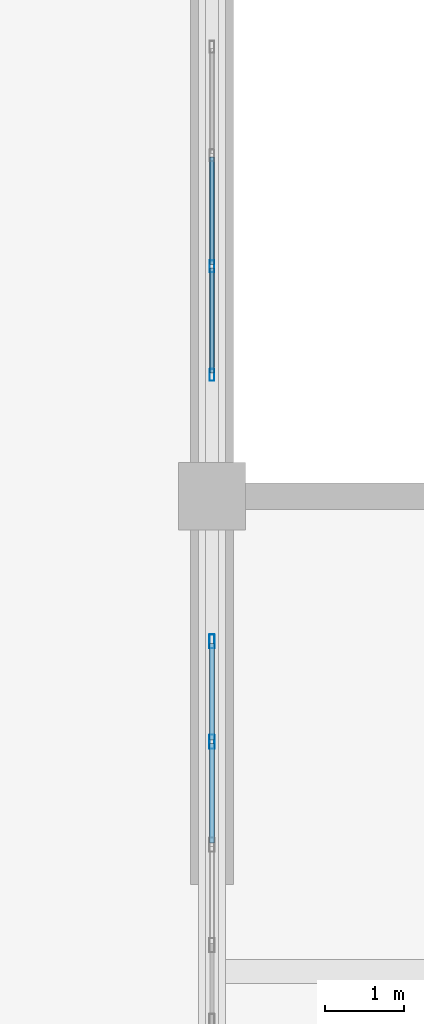
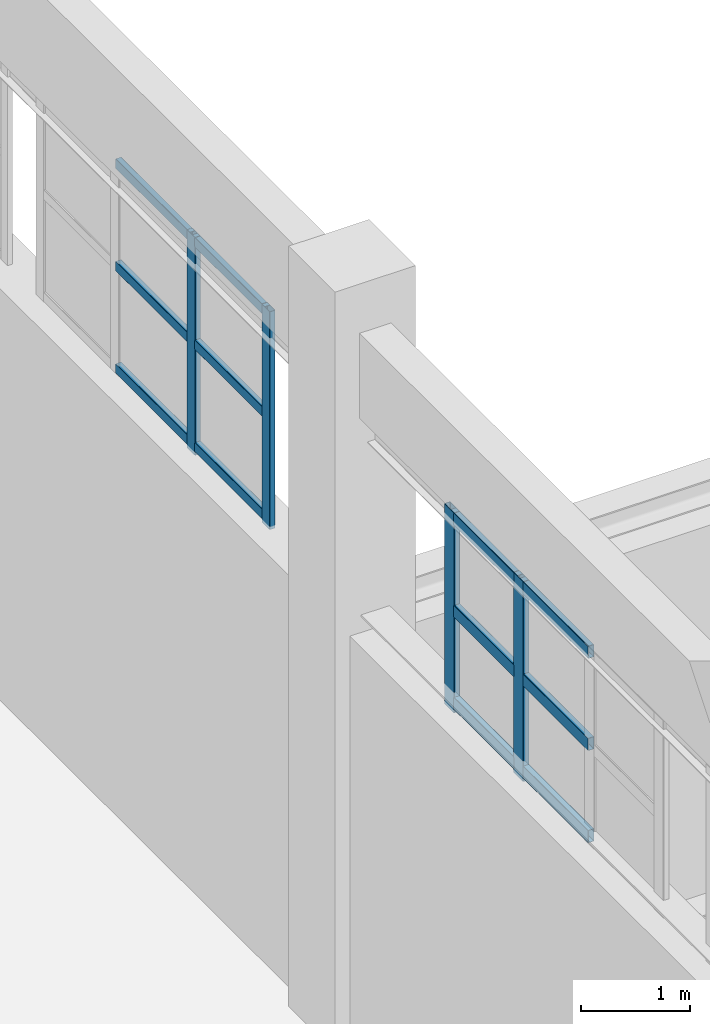
# One storey, part 57 of 97: 16 members, 2 elements without a shape of their own.
"""IFC4 building model written with IfcOpenShell, lengths in metres."""

from ifc_helpers import new_model, si_unit, derived_unit, direction, frame, origin, origin_2d, place, context, subcontext, project, spatial, hollow_rectangle, extrude, material, layer, layer_set, material_profile, profile_set, type_object, element, aggregate, save


model = new_model("IFC4")

# Units and contexts
model_context = context("Model", 3, precision=1e-05, world=origin(), true_north=direction((0.0, 1.0)))
body_context = subcontext(model_context, "Body", "Model", "MODEL_VIEW")
ifc_project = project(units=[si_unit("LENGTHUNIT", "METRE"), si_unit("AREAUNIT", "SQUARE_METRE"), si_unit("VOLUMEUNIT", "CUBIC_METRE"), si_unit("PLANEANGLEUNIT", "RADIAN"), si_unit("MASSUNIT", "GRAM", prefix="KILO"), derived_unit("THERMALTRANSMITTANCEUNIT", [(si_unit("POWERUNIT", "WATT"), 1), (si_unit("LENGTHUNIT", "METRE"), -2), (si_unit("THERMODYNAMICTEMPERATUREUNIT", "KELVIN"), -1)])], contexts=[model_context])

# Site, building, storey
site_placement = place(None, origin())
site = spatial("IfcSite", under=ifc_project, at=site_placement, CompositionType="ELEMENT")
building_placement = place(site_placement, origin())
building = spatial("IfcBuilding", under=site, at=building_placement, Name="Almenara Railside Exhibition Hall", CompositionType="ELEMENT")
storey_placement = place(building_placement, frame((0.0, 0.0, 10.800048828125)))
storey = spatial("IfcBuildingStorey", under=building, at=storey_placement, Name="L02", CompositionType="ELEMENT", Elevation=10.800048828125)

# Curtain wall, members
ifc_material_1 = material(Name="Bronze-anodised aluminium and low-E double glazing", Category="aluminium")
ifc_layer_1 = layer(ifc_material_1, 0.179931640625, Name="Bronze-anodised aluminium and low-E double glazing")
ifc_layer_set_1 = layer_set([ifc_layer_1], Name="Bronze-anodised aluminium and low-E double glazing")
curtain_wall_type_1 = type_object("IfcCurtainWallType", Name="West Hall Clerestory Curtain Wall 4200x2400", PredefinedType="NOTDEFINED", material=ifc_layer_set_1)
curtain_wall_1_placement = place(storey_placement, origin())
curtain_wall_1 = element("IfcCurtainWall", 1, at=curtain_wall_1_placement, inside=storey, type_object=curtain_wall_type_1, Name="Curtain wall CW-CL1-021", PredefinedType="NOTDEFINED")
ifc_material_2 = material(Name="Bronze-anodised aluminium", Category="aluminium")
ifc_material_profile_1 = material_profile(ifc_material_2, hollow_rectangle(XDim=0.06005859375, YDim=0.14990234375, WallThickness=0.00341796875, InnerFilletRadius=0.00341796875, OuterFilletRadius=0.007080078125, at=origin_2d()), Name="ALU-MUL 60x150x3.5")
ifc_profile_set_1 = profile_set([ifc_material_profile_1], Name="Bronze-anodised aluminium")
member_type_1 = type_object("IfcMemberType", Name="Curtain Wall Mullion 60x150x3.5", PredefinedType="MULLION", material=ifc_profile_set_1)
member_1_placement = place(storey_placement, frame((66.0, 109.530029296875, 4.56494140625), z_axis=(0.0, 0.0, 1.0), x_axis=(-1.0, 0.0, 0.0)))
member_1 = element("IfcMember", 2, at=member_1_placement, type_object=member_type_1, Name="CW-CL1-021 mullion 1", PredefinedType="MULLION", context=body_context, shape_type="SweptSolid", body=[
    extrude(hollow_rectangle(XDim=0.06005859375, YDim=0.14990234375, WallThickness=0.00341796875, InnerFilletRadius=0.00341796875, OuterFilletRadius=0.007080078125, at=origin_2d()), origin(), (0.0, 0.0, 1.0), 2.43505859375),
])
member_2_placement = place(storey_placement, frame((66.0, 110.89990234375, 4.56494140625), z_axis=(0.0, 0.0, 1.0), x_axis=(-1.0, 0.0, 0.0)))
member_2 = element("IfcMember", 3, at=member_2_placement, type_object=member_type_1, Name="CW-CL1-021 mullion 2", PredefinedType="MULLION", context=body_context, shape_type="SweptSolid", body=[
    extrude(hollow_rectangle(XDim=0.06005859375, YDim=0.14990234375, WallThickness=0.00341796875, InnerFilletRadius=0.00341796875, OuterFilletRadius=0.007080078125, at=origin_2d()), origin(), (0.0, 0.0, 1.0), 2.43505859375),
])

ifc_layer_2 = layer(ifc_material_1, 0.179931640625, Name="Bronze-anodised aluminium and low-E double glazing")
ifc_layer_set_2 = layer_set([ifc_layer_2], Name="Bronze-anodised aluminium and low-E double glazing")
curtain_wall_type_2 = type_object("IfcCurtainWallType", Name="West Hall Clerestory Curtain Wall 3900x2200", PredefinedType="NOTDEFINED", material=ifc_layer_set_2)
curtain_wall_2_placement = place(storey_placement, origin())
curtain_wall_2 = element("IfcCurtainWall", 4, at=curtain_wall_2_placement, inside=storey, type_object=curtain_wall_type_2, Name="Curtain wall CW-CL2-020", PredefinedType="NOTDEFINED")
ifc_material_profile_2 = material_profile(ifc_material_2, hollow_rectangle(XDim=0.06494140625, YDim=0.179931640625, WallThickness=0.00390625, InnerFilletRadius=0.00390625, OuterFilletRadius=0.008056640625, at=origin_2d()), Name="ALU-MUL 65x180x4")
ifc_profile_set_2 = profile_set([ifc_material_profile_2], Name="Bronze-anodised aluminium")
member_type_2 = type_object("IfcMemberType", Name="Curtain Wall Mullion 65x180x4", PredefinedType="MULLION", material=ifc_profile_set_2)
member_3_placement = place(storey_placement, frame((66.0, 104.89990234375, 4.56494140625), z_axis=(0.0, 0.0, 1.0), x_axis=(-1.0, 0.0, 0.0)))
member_3 = element("IfcMember", 5, at=member_3_placement, type_object=member_type_2, Name="CW-CL2-020 mullion 3", PredefinedType="MULLION", context=body_context, shape_type="SweptSolid", body=[
    extrude(hollow_rectangle(XDim=0.06494140625, YDim=0.179931640625, WallThickness=0.00390625, InnerFilletRadius=0.00390625, OuterFilletRadius=0.008056640625, at=origin_2d()), origin(), (0.0, 0.0, 1.0), 2.235107421875),
])
member_4_placement = place(storey_placement, frame((66.0, 106.16748046875, 4.56494140625), z_axis=(0.0, 0.0, 1.0), x_axis=(-1.0, 0.0, 0.0)))
member_4 = element("IfcMember", 6, at=member_4_placement, type_object=member_type_2, Name="CW-CL2-020 mullion 4", PredefinedType="MULLION", context=body_context, shape_type="SweptSolid", body=[
    extrude(hollow_rectangle(XDim=0.06494140625, YDim=0.179931640625, WallThickness=0.00390625, InnerFilletRadius=0.00390625, OuterFilletRadius=0.008056640625, at=origin_2d()), origin(), (0.0, 0.0, 1.0), 2.235107421875),
])

# Member
ifc_material_profile_3 = material_profile(ifc_material_2, hollow_rectangle(XDim=0.06005859375, YDim=0.110107421875, WallThickness=0.0029296875, InnerFilletRadius=0.0029296875, OuterFilletRadius=0.006103515625, at=origin_2d()), Name="ALU-TRN 60x110x3")
ifc_profile_set_3 = profile_set([ifc_material_profile_3], Name="Bronze-anodised aluminium")
member_type_3 = type_object("IfcMemberType", Name="Curtain Wall Transom 60x110x3", PredefinedType="USERDEFINED", material=ifc_profile_set_3)
member_5_placement = place(storey_placement, frame((66.0, 109.552001953125, 4.655029296875), z_axis=(0.0, 1.0, 0.0), x_axis=(-1.0, 0.0, 0.0)))
member_5 = element("IfcMember", 7, at=member_5_placement, type_object=member_type_3, Name="CW-CL1-021 transom 1.1", ObjectType="TRANSOM", PredefinedType="USERDEFINED", context=body_context, shape_type="SweptSolid", body=[
    extrude(hollow_rectangle(XDim=0.06005859375, YDim=0.110107421875, WallThickness=0.0029296875, InnerFilletRadius=0.0029296875, OuterFilletRadius=0.006103515625, at=origin_2d()), origin(), (0.0, 0.0, 1.0), 1.325927734375),
])

member_6_placement = place(storey_placement, frame((66.0, 109.552001953125, 5.800048828125), z_axis=(0.0, 1.0, 0.0), x_axis=(-1.0, 0.0, 0.0)))
member_6 = element("IfcMember", 8, at=member_6_placement, type_object=member_type_3, Name="CW-CL1-021 transom 1.2", ObjectType="TRANSOM", PredefinedType="USERDEFINED", context=body_context, shape_type="SweptSolid", body=[
    extrude(hollow_rectangle(XDim=0.06005859375, YDim=0.110107421875, WallThickness=0.0029296875, InnerFilletRadius=0.0029296875, OuterFilletRadius=0.006103515625, at=origin_2d()), origin(), (0.0, 0.0, 1.0), 1.325927734375),
])

member_7_placement = place(storey_placement, frame((66.0, 109.552001953125, 6.945068359375), z_axis=(0.0, 1.0, 0.0), x_axis=(-1.0, 0.0, 0.0)))
member_7 = element("IfcMember", 9, at=member_7_placement, type_object=member_type_3, Name="CW-CL1-021 transom 1.3", ObjectType="TRANSOM", PredefinedType="USERDEFINED", context=body_context, shape_type="SweptSolid", body=[
    extrude(hollow_rectangle(XDim=0.06005859375, YDim=0.110107421875, WallThickness=0.0029296875, InnerFilletRadius=0.0029296875, OuterFilletRadius=0.006103515625, at=origin_2d()), origin(), (0.0, 0.0, 1.0), 1.325927734375),
])

member_8_placement = place(storey_placement, frame((66.0, 110.922119140625, 4.655029296875), z_axis=(0.0, 1.0, 0.0), x_axis=(-1.0, 0.0, 0.0)))
member_8 = element("IfcMember", 10, at=member_8_placement, type_object=member_type_3, Name="CW-CL1-021 transom 2.1", ObjectType="TRANSOM", PredefinedType="USERDEFINED", context=body_context, shape_type="SweptSolid", body=[
    extrude(hollow_rectangle(XDim=0.06005859375, YDim=0.110107421875, WallThickness=0.0029296875, InnerFilletRadius=0.0029296875, OuterFilletRadius=0.006103515625, at=origin_2d()), origin(), (0.0, 0.0, 1.0), 1.35595703125),
])

member_9_placement = place(storey_placement, frame((66.0, 110.922119140625, 5.800048828125), z_axis=(0.0, 1.0, 0.0), x_axis=(-1.0, 0.0, 0.0)))
member_9 = element("IfcMember", 11, at=member_9_placement, type_object=member_type_3, Name="CW-CL1-021 transom 2.2", ObjectType="TRANSOM", PredefinedType="USERDEFINED", context=body_context, shape_type="SweptSolid", body=[
    extrude(hollow_rectangle(XDim=0.06005859375, YDim=0.110107421875, WallThickness=0.0029296875, InnerFilletRadius=0.0029296875, OuterFilletRadius=0.006103515625, at=origin_2d()), origin(), (0.0, 0.0, 1.0), 1.35595703125),
])

member_10_placement = place(storey_placement, frame((66.0, 110.922119140625, 6.945068359375), z_axis=(0.0, 1.0, 0.0), x_axis=(-1.0, 0.0, 0.0)))
member_10 = element("IfcMember", 12, at=member_10_placement, type_object=member_type_3, Name="CW-CL1-021 transom 2.3", ObjectType="TRANSOM", PredefinedType="USERDEFINED", context=body_context, shape_type="SweptSolid", body=[
    extrude(hollow_rectangle(XDim=0.06005859375, YDim=0.110107421875, WallThickness=0.0029296875, InnerFilletRadius=0.0029296875, OuterFilletRadius=0.006103515625, at=origin_2d()), origin(), (0.0, 0.0, 1.0), 1.35595703125),
])

aggregate(curtain_wall_1, [member_1, member_2, member_5, member_6, member_7, member_8, member_9, member_10])

ifc_material_profile_4 = material_profile(ifc_material_2, hollow_rectangle(XDim=0.06494140625, YDim=0.139892578125, WallThickness=0.00341796875, InnerFilletRadius=0.00341796875, OuterFilletRadius=0.007080078125, at=origin_2d()), Name="ALU-TRN 65x140x3.5")
ifc_profile_set_4 = profile_set([ifc_material_profile_4], Name="Bronze-anodised aluminium")
member_type_4 = type_object("IfcMemberType", Name="Curtain Wall Transom 65x140x3.5", PredefinedType="USERDEFINED", material=ifc_profile_set_4)
member_11_placement = place(storey_placement, frame((66.0, 103.62451171875, 4.669921875), z_axis=(0.0, 1.0, 0.0), x_axis=(-1.0, 0.0, 0.0)))
member_11 = element("IfcMember", 13, at=member_11_placement, type_object=member_type_4, Name="CW-CL2-020 transom 2.1", ObjectType="TRANSOM", PredefinedType="USERDEFINED", context=body_context, shape_type="SweptSolid", body=[
    extrude(hollow_rectangle(XDim=0.06494140625, YDim=0.139892578125, WallThickness=0.00341796875, InnerFilletRadius=0.00341796875, OuterFilletRadius=0.007080078125, at=origin_2d()), origin(), (0.0, 0.0, 1.0), 1.2509765625),
])

member_12_placement = place(storey_placement, frame((66.0, 103.62451171875, 5.699951171875), z_axis=(0.0, 1.0, 0.0), x_axis=(-1.0, 0.0, 0.0)))
member_12 = element("IfcMember", 14, at=member_12_placement, type_object=member_type_4, Name="CW-CL2-020 transom 2.2", ObjectType="TRANSOM", PredefinedType="USERDEFINED", context=body_context, shape_type="SweptSolid", body=[
    extrude(hollow_rectangle(XDim=0.06494140625, YDim=0.139892578125, WallThickness=0.00341796875, InnerFilletRadius=0.00341796875, OuterFilletRadius=0.007080078125, at=origin_2d()), origin(), (0.0, 0.0, 1.0), 1.2509765625),
])

member_13_placement = place(storey_placement, frame((66.0, 103.62451171875, 6.72998046875), z_axis=(0.0, 1.0, 0.0), x_axis=(-1.0, 0.0, 0.0)))
member_13 = element("IfcMember", 15, at=member_13_placement, type_object=member_type_4, Name="CW-CL2-020 transom 2.3", ObjectType="TRANSOM", PredefinedType="USERDEFINED", context=body_context, shape_type="SweptSolid", body=[
    extrude(hollow_rectangle(XDim=0.06494140625, YDim=0.139892578125, WallThickness=0.00341796875, InnerFilletRadius=0.00341796875, OuterFilletRadius=0.007080078125, at=origin_2d()), origin(), (0.0, 0.0, 1.0), 1.2509765625),
])

member_14_placement = place(storey_placement, frame((66.0, 104.924560546875, 4.669921875), z_axis=(0.0, 1.0, 0.0), x_axis=(-1.0, 0.0, 0.0)))
member_14 = element("IfcMember", 16, at=member_14_placement, type_object=member_type_4, Name="CW-CL2-020 transom 3.1", ObjectType="TRANSOM", PredefinedType="USERDEFINED", context=body_context, shape_type="SweptSolid", body=[
    extrude(hollow_rectangle(XDim=0.06494140625, YDim=0.139892578125, WallThickness=0.00341796875, InnerFilletRadius=0.00341796875, OuterFilletRadius=0.007080078125, at=origin_2d()), origin(), (0.0, 0.0, 1.0), 1.218505859375),
])

member_15_placement = place(storey_placement, frame((66.0, 104.924560546875, 5.699951171875), z_axis=(0.0, 1.0, 0.0), x_axis=(-1.0, 0.0, 0.0)))
member_15 = element("IfcMember", 17, at=member_15_placement, type_object=member_type_4, Name="CW-CL2-020 transom 3.2", ObjectType="TRANSOM", PredefinedType="USERDEFINED", context=body_context, shape_type="SweptSolid", body=[
    extrude(hollow_rectangle(XDim=0.06494140625, YDim=0.139892578125, WallThickness=0.00341796875, InnerFilletRadius=0.00341796875, OuterFilletRadius=0.007080078125, at=origin_2d()), origin(), (0.0, 0.0, 1.0), 1.218505859375),
])

member_16_placement = place(storey_placement, frame((66.0, 104.924560546875, 6.72998046875), z_axis=(0.0, 1.0, 0.0), x_axis=(-1.0, 0.0, 0.0)))
member_16 = element("IfcMember", 18, at=member_16_placement, type_object=member_type_4, Name="CW-CL2-020 transom 3.3", ObjectType="TRANSOM", PredefinedType="USERDEFINED", context=body_context, shape_type="SweptSolid", body=[
    extrude(hollow_rectangle(XDim=0.06494140625, YDim=0.139892578125, WallThickness=0.00341796875, InnerFilletRadius=0.00341796875, OuterFilletRadius=0.007080078125, at=origin_2d()), origin(), (0.0, 0.0, 1.0), 1.218505859375),
])

aggregate(curtain_wall_2, [member_3, member_4, member_11, member_12, member_13, member_14, member_15, member_16])

save(model, "model.ifc")
